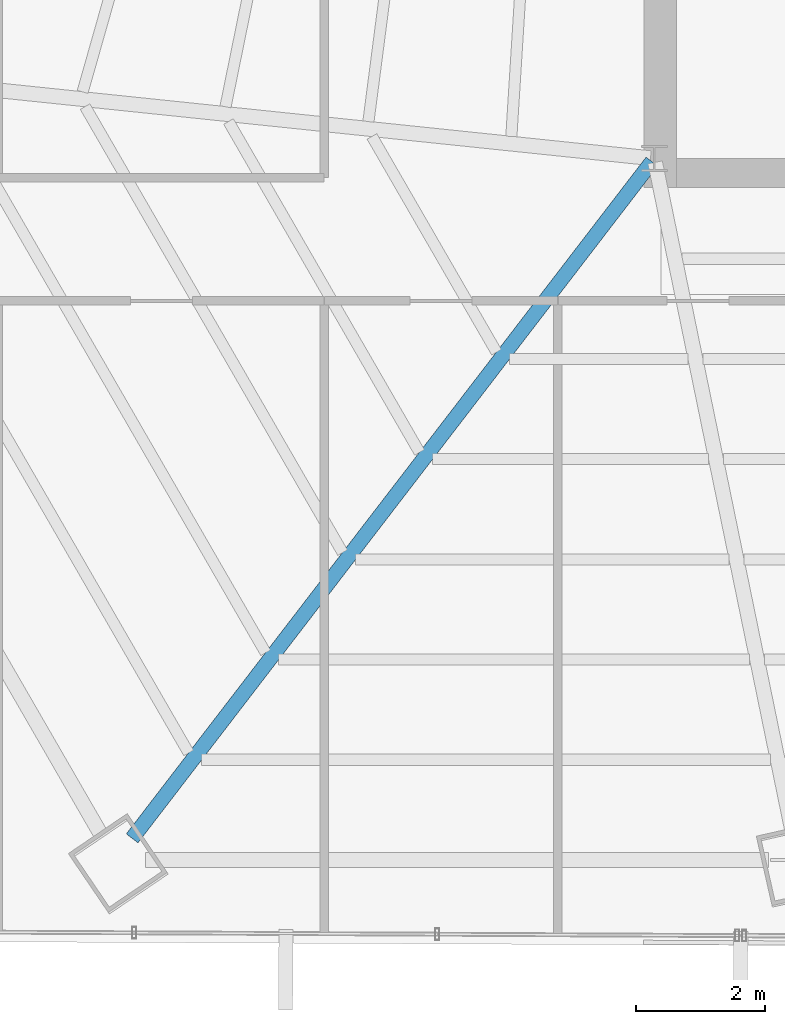
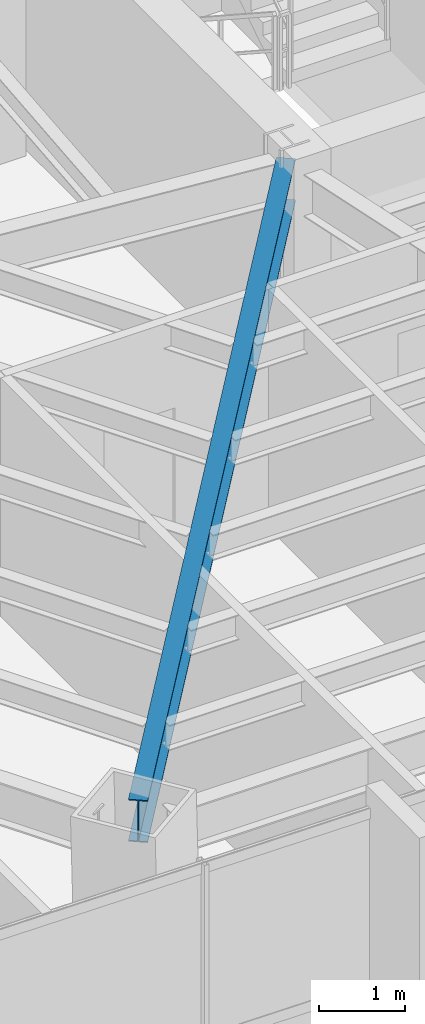
# One storey, part 5 of 36: 1 beam.
"""IFC4 building model written with IfcOpenShell, lengths in metres."""

from ifc_helpers import new_model, si_unit, direction, frame, origin, origin_2d, place, context, subcontext, project, spatial, i_section, extrude, source, transform, mapped, material, material_profile, profile_set, type_object, type_shapes, element, save


model = new_model("IFC4")

# Units and contexts
model_context = context("Model", 3, precision=1e-05, world=origin(), true_north=direction((0.0, 1.0)))
body_context = subcontext(model_context, "Body", "Model", "MODEL_VIEW")
ifc_project = project(units=[si_unit("LENGTHUNIT", "METRE"), si_unit("AREAUNIT", "SQUARE_METRE"), si_unit("VOLUMEUNIT", "CUBIC_METRE"), si_unit("PLANEANGLEUNIT", "RADIAN"), si_unit("MASSUNIT", "GRAM", prefix="KILO")], contexts=[model_context])

# Site, building, storey
site_placement = place(None, origin())
site = spatial("IfcSite", under=ifc_project, at=site_placement, CompositionType="ELEMENT")
building_placement = place(site_placement, origin())
building = spatial("IfcBuilding", under=site, at=building_placement, Name="Caelisora Broadcast Tower", CompositionType="ELEMENT")
storey_placement = place(building_placement, frame((0.0, 0.0, 112.699951171875)))
storey = spatial("IfcBuildingStorey", under=building, at=storey_placement, Name="L29", CompositionType="ELEMENT", Elevation=112.699951171875)

# Beam
ifc_material = material(Name="Steel Grade 350 (AS/NZS 3679.1)", Category="steel")
ifc_material_profile = material_profile(ifc_material, i_section(OverallWidth=0.22802734375, OverallDepth=0.602294921875, WebThickness=0.010498046875, FlangeThickness=0.014892578125, at=origin_2d()), Name="Steel Grade 350 (AS/NZS 3679.1)")
ifc_profile_set = profile_set([ifc_material_profile], Name="Steel Grade 350 (AS/NZS 3679.1)")
beam_type = type_object("IfcBeamType", Name="PG04", PredefinedType="BEAM", material=ifc_profile_set)
shared_shape = source(origin(), body_context, "Body", "SweptSolid", [
    extrude(i_section(OverallWidth=0.22802734375, OverallDepth=0.602294921875, WebThickness=0.010498046875, FlangeThickness=0.014892578125, at=origin_2d()), origin(), (0.0, 0.0, 1.0), 13.191162109375),
])
type_shapes(beam_type, [shared_shape])
beam_placement = place(storey_placement, frame((30.46337890625, 17.352294921875, 3.098876953125), z_axis=(-0.609155163493, -0.793051061906, 0.0), x_axis=(0.793051061906, -0.609155163493, 0.0)))
element("IfcBeam", 1, at=beam_placement, inside=storey, type_object=beam_type, Name="L29 beam PG04", PredefinedType="BEAM", context=body_context, shape_type="MappedRepresentation", body=[
    mapped(shared_shape, transform((0.0, 0.0, 0.0), scale=1.0)),
])

save(model, "model.ifc")
